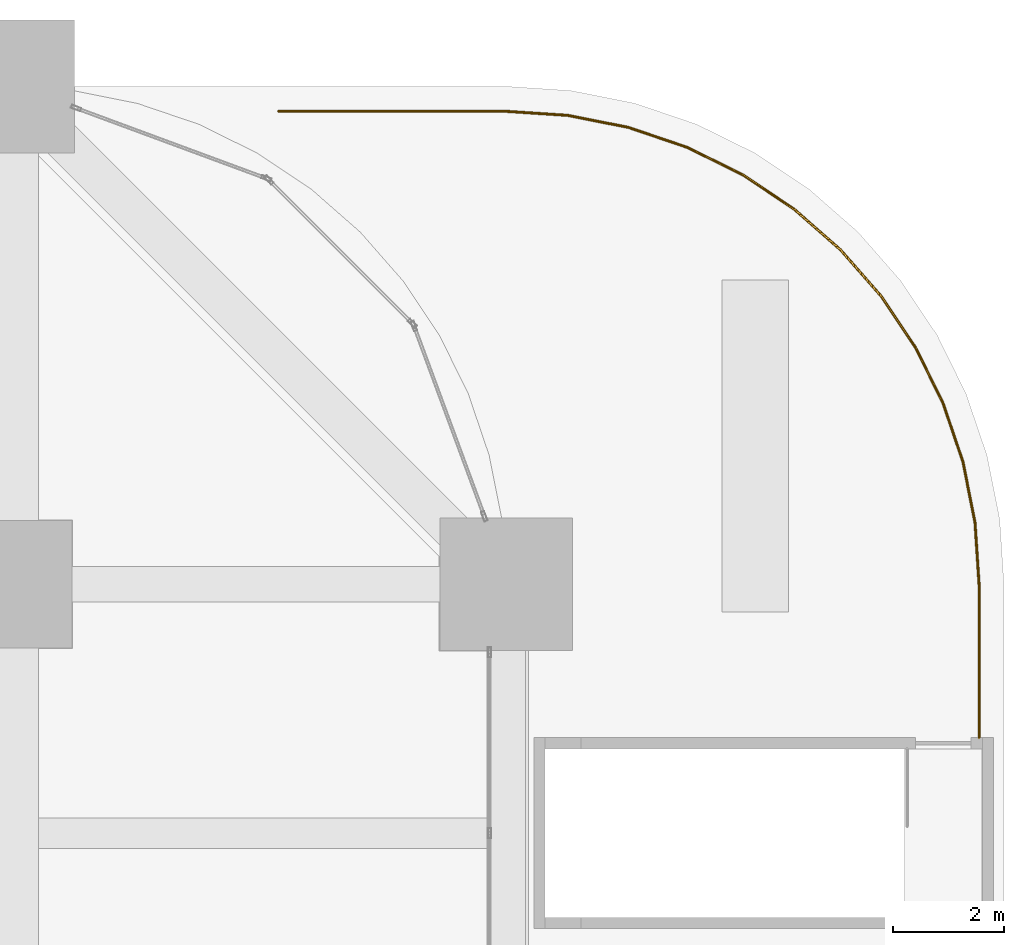
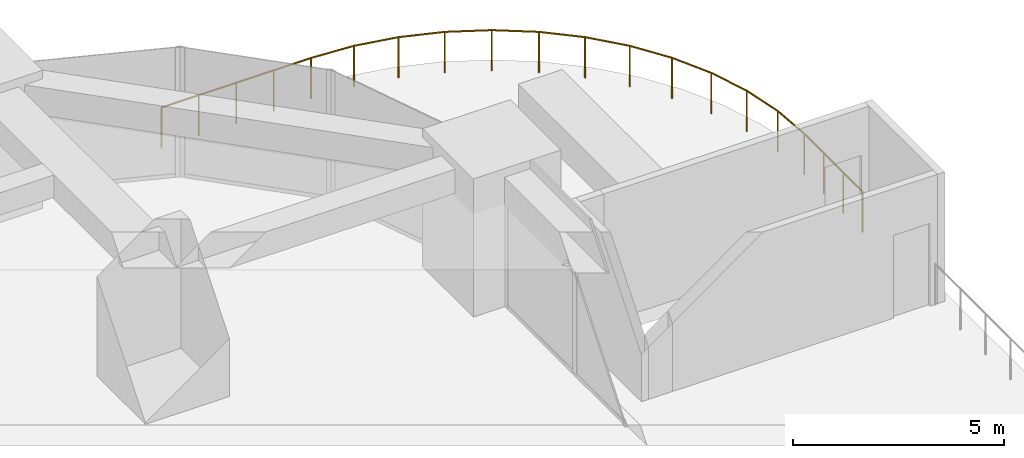
# One storey, part 38 of 38: 1 railing.
"""IFC4 building model written with IfcOpenShell, lengths in metres."""

from ifc_helpers import new_model, si_unit, direction, frame, origin, origin_2d, place, context, subcontext, project, spatial, circle, extrude, material, type_object, element, save


model = new_model("IFC4")

# Units and contexts
model_context = context("Model", 3, precision=1e-05, world=origin(), true_north=direction((0.0, 1.0)))
body_context = subcontext(model_context, "Body", "Model", "MODEL_VIEW")
ifc_project = project(units=[si_unit("LENGTHUNIT", "METRE"), si_unit("AREAUNIT", "SQUARE_METRE"), si_unit("VOLUMEUNIT", "CUBIC_METRE"), si_unit("PLANEANGLEUNIT", "RADIAN"), si_unit("MASSUNIT", "GRAM", prefix="KILO")], contexts=[model_context])

# Site, building, storey
site_placement = place(None, origin())
site = spatial("IfcSite", under=ifc_project, at=site_placement, CompositionType="ELEMENT")
building_placement = place(site_placement, origin())
building = spatial("IfcBuilding", under=site, at=building_placement, Name="Zorevar Civic Tower", CompositionType="ELEMENT")
storey_placement = place(building_placement, frame((0.0, 0.0, 15.800048828125)))
storey = spatial("IfcBuildingStorey", under=building, at=storey_placement, Name="L03", CompositionType="ELEMENT", Elevation=15.800048828125)

# Railing
ifc_material = material(Name="Black steel posts and laminated glass", Category="steel")
railing_type = type_object("IfcRailingType", Name="Guard GR1 1200", PredefinedType="GUARDRAIL", material=ifc_material)
railing_placement = place(storey_placement, frame((58.88916015625, 53.550048828125, 0.0)))
element("IfcRailing", 1, at=railing_placement, inside=storey, type_object=railing_type, Name="Guard GR1 L03", PredefinedType="GUARDRAIL", context=body_context, shape_type="SweptSolid", body=[
    extrude(circle(Radius=0.02392578125, at=origin_2d()), frame((0.0, 0.0, 1.17578125), z_axis=(1.0, 0.0, 0.0), x_axis=(0.0, 1.0, 0.0)), (0.0, 0.0, 1.0), 4.09619140625),
    extrude(circle(Radius=0.02392578125, at=origin_2d()), frame((4.09619140625, 0.0, 1.17578125), z_axis=(0.997852333837, -0.065503586587, 0.0), x_axis=(0.065503586587, 0.997852333837, 0.0)), (0.0, 0.0, 1.0), 1.133056640625),
    extrude(circle(Radius=0.02392578125, at=origin_2d()), frame((5.226806640625, -0.07421875, 1.17578125), z_axis=(0.980806763429, -0.194982288456, 0.0), x_axis=(0.194982288456, 0.980806763429, 0.0)), (0.0, 0.0, 1.0), 1.1181640625),
    extrude(circle(Radius=0.02392578125, at=origin_2d()), frame((6.323486328125, -0.292236328125, 1.17578125), z_axis=(0.946877825624, -0.321593506374, 0.0), x_axis=(0.321593506374, 0.946877825624, 0.0)), (0.0, 0.0, 1.0), 1.1181640625),
    extrude(circle(Radius=0.02392578125, at=origin_2d()), frame((7.38232421875, -0.65185546875, 1.17578125), z_axis=(0.896859006823, -0.442316540366, 0.0), x_axis=(0.442316540366, 0.896859006823, 0.0)), (0.0, 0.0, 1.0), 1.1181640625),
    extrude(circle(Radius=0.02392578125, at=origin_2d()), frame((8.38525390625, -1.146484375, 1.17578125), z_axis=(0.831579768311, -0.555405337512, 0.0), x_axis=(0.555405337512, 0.831579768311, 0.0)), (0.0, 0.0, 1.0), 1.1181640625),
    extrude(circle(Radius=0.02392578125, at=origin_2d()), frame((9.315185546875, -1.767578125, 1.17578125), z_axis=(0.751873024363, -0.659307936578, 0.0), x_axis=(0.659307936578, 0.751873024363, 0.0)), (0.0, 0.0, 1.0), 1.118408203125),
    extrude(circle(Radius=0.02392578125, at=origin_2d()), frame((10.156005859375, -2.5048828125, 1.17578125), z_axis=(0.659307936578, -0.751873024363, 0.0), x_axis=(0.751873024363, 0.659307936578, 0.0)), (0.0, 0.0, 1.0), 1.118408203125),
    extrude(circle(Radius=0.02392578125, at=origin_2d()), frame((10.893310546875, -3.345703125, 1.17578125), z_axis=(0.555405337512, -0.831579768311, 0.0), x_axis=(0.831579768311, 0.555405337512, 0.0)), (0.0, 0.0, 1.0), 1.1181640625),
    extrude(circle(Radius=0.02392578125, at=origin_2d()), frame((11.514404296875, -4.275634765625, 1.17578125), z_axis=(0.442316540366, -0.896859006823, 0.0), x_axis=(0.896859006823, 0.442316540366, 0.0)), (0.0, 0.0, 1.0), 1.1181640625),
    extrude(circle(Radius=0.02392578125, at=origin_2d()), frame((12.009033203125, -5.278564453125, 1.17578125), z_axis=(0.321593506374, -0.946877825624, 0.0), x_axis=(0.946877825624, 0.321593506374, 0.0)), (0.0, 0.0, 1.0), 1.1181640625),
    extrude(circle(Radius=0.02392578125, at=origin_2d()), frame((12.36865234375, -6.33740234375, 1.17578125), z_axis=(0.194982288456, -0.980806763429, 0.0), x_axis=(0.980806763429, 0.194982288456, 0.0)), (0.0, 0.0, 1.0), 1.1181640625),
    extrude(circle(Radius=0.02392578125, at=origin_2d()), frame((12.586669921875, -7.43408203125, 1.17578125), z_axis=(0.065503586587, -0.997852333837, 0.0), x_axis=(0.997852333837, 0.065503586587, 0.0)), (0.0, 0.0, 1.0), 1.133056640625),
    extrude(circle(Radius=0.02392578125, at=origin_2d()), frame((12.660888671875, -8.564697265625, 1.17578125), z_axis=(0.0, -1.0, 0.0), x_axis=(1.0, 0.0, 0.0)), (0.0, 0.0, 1.0), 2.76025390625),
    extrude(circle(Radius=0.02099609375, at=origin_2d()), origin(), (0.0, 0.0, 1.0), 1.15185546875),
    extrude(circle(Radius=0.02099609375, at=origin_2d()), frame((1.02392578125, 0.0, 0.0)), (0.0, 0.0, 1.0), 1.15185546875),
    extrude(circle(Radius=0.02099609375, at=origin_2d()), frame((2.048095703125, 0.0, 0.0)), (0.0, 0.0, 1.0), 1.15185546875),
    extrude(circle(Radius=0.02099609375, at=origin_2d()), frame((3.072265625, 0.0, 0.0)), (0.0, 0.0, 1.0), 1.15185546875),
    extrude(circle(Radius=0.02099609375, at=origin_2d()), frame((4.09619140625, 0.0, 0.0)), (0.0, 0.0, 1.0), 1.15185546875),
    extrude(circle(Radius=0.02099609375, at=origin_2d()), frame((5.226806640625, -0.07421875, 0.0)), (0.0, 0.0, 1.0), 1.15185546875),
    extrude(circle(Radius=0.02099609375, at=origin_2d()), frame((6.323486328125, -0.292236328125, 0.0)), (0.0, 0.0, 1.0), 1.15185546875),
    extrude(circle(Radius=0.02099609375, at=origin_2d()), frame((7.38232421875, -0.65185546875, 0.0)), (0.0, 0.0, 1.0), 1.15185546875),
    extrude(circle(Radius=0.02099609375, at=origin_2d()), frame((8.38525390625, -1.146484375, 0.0)), (0.0, 0.0, 1.0), 1.15185546875),
    extrude(circle(Radius=0.02099609375, at=origin_2d()), frame((9.315185546875, -1.767578125, 0.0)), (0.0, 0.0, 1.0), 1.15185546875),
    extrude(circle(Radius=0.02099609375, at=origin_2d()), frame((10.156005859375, -2.5048828125, 0.0)), (0.0, 0.0, 1.0), 1.15185546875),
    extrude(circle(Radius=0.02099609375, at=origin_2d()), frame((10.893310546875, -3.345703125, 0.0)), (0.0, 0.0, 1.0), 1.15185546875),
    extrude(circle(Radius=0.02099609375, at=origin_2d()), frame((11.514404296875, -4.275634765625, 0.0)), (0.0, 0.0, 1.0), 1.15185546875),
    extrude(circle(Radius=0.02099609375, at=origin_2d()), frame((12.009033203125, -5.278564453125, 0.0)), (0.0, 0.0, 1.0), 1.15185546875),
    extrude(circle(Radius=0.02099609375, at=origin_2d()), frame((12.36865234375, -6.33740234375, 0.0)), (0.0, 0.0, 1.0), 1.15185546875),
    extrude(circle(Radius=0.02099609375, at=origin_2d()), frame((12.586669921875, -7.43408203125, 0.0)), (0.0, 0.0, 1.0), 1.15185546875),
    extrude(circle(Radius=0.02099609375, at=origin_2d()), frame((12.660888671875, -8.564697265625, 0.0)), (0.0, 0.0, 1.0), 1.15185546875),
    extrude(circle(Radius=0.02099609375, at=origin_2d()), frame((12.660888671875, -9.48486328125, 0.0)), (0.0, 0.0, 1.0), 1.15185546875),
    extrude(circle(Radius=0.02099609375, at=origin_2d()), frame((12.660888671875, -10.40478515625, 0.0)), (0.0, 0.0, 1.0), 1.15185546875),
    extrude(circle(Radius=0.02099609375, at=origin_2d()), frame((12.660888671875, -11.324951171875, 0.0)), (0.0, 0.0, 1.0), 1.15185546875),
])

save(model, "model.ifc")
